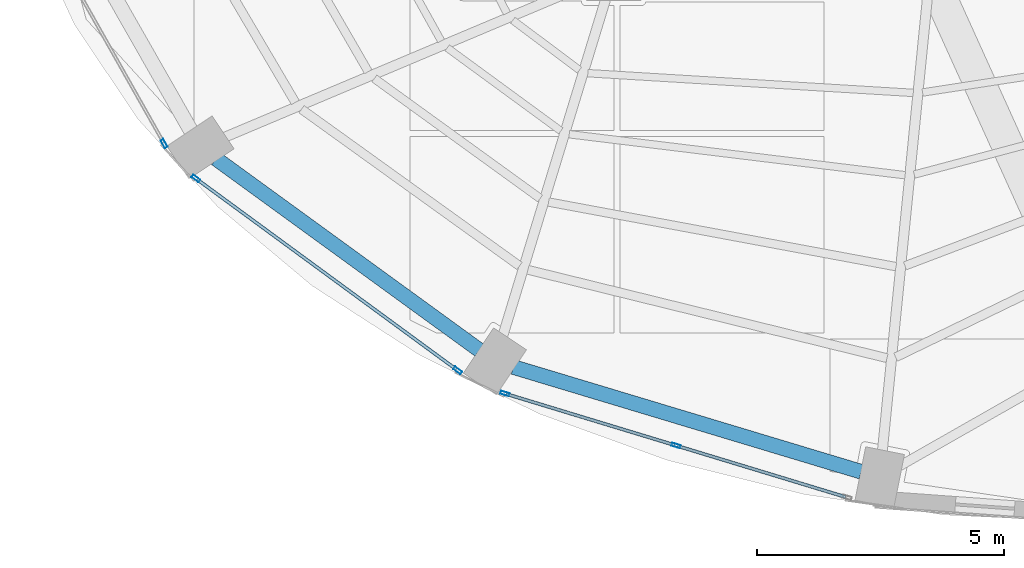
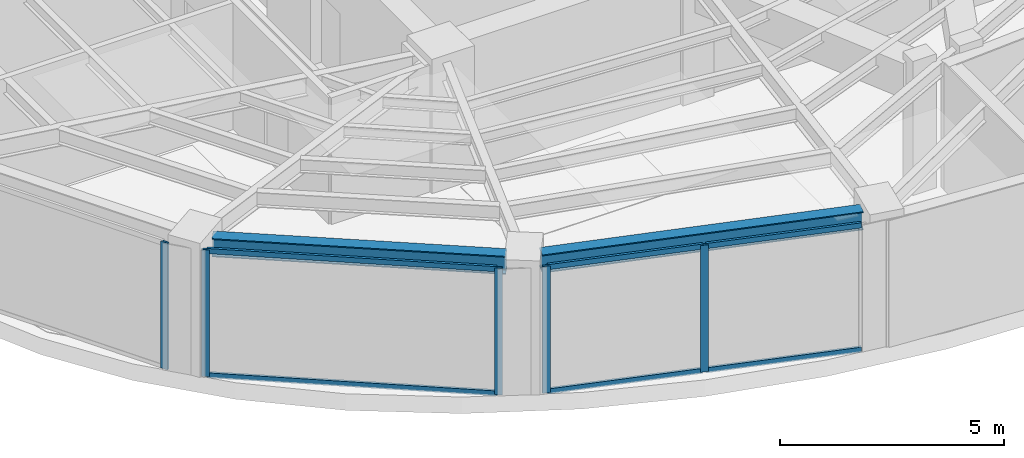
# One storey, part 2 of 23: 11 members, 2 beams, 3 elements without a shape of their own.
"""IFC4 building model written with IfcOpenShell, lengths in metres."""

from ifc_helpers import new_model, si_unit, direction, frame, origin, origin_2d, place, context, subcontext, project, spatial, hollow_rectangle, i_section, extrude, material, layer, layer_set, material_profile, profile_set, type_object, element, aggregate, save


model = new_model("IFC4")

# Units and contexts
model_context = context("Model", 3, precision=1e-05, world=origin(), true_north=direction((0.0, 1.0)))
body_context = subcontext(model_context, "Body", "Model", "MODEL_VIEW")
ifc_project = project(units=[si_unit("LENGTHUNIT", "METRE"), si_unit("AREAUNIT", "SQUARE_METRE"), si_unit("VOLUMEUNIT", "CUBIC_METRE"), si_unit("PLANEANGLEUNIT", "RADIAN"), si_unit("MASSUNIT", "GRAM", prefix="KILO")], contexts=[model_context])

# Site, building, storey
site_placement = place(None, origin())
site = spatial("IfcSite", under=ifc_project, at=site_placement, CompositionType="ELEMENT")
building_placement = place(site_placement, origin())
building = spatial("IfcBuilding", under=site, at=building_placement, Name="Lazwardi Medical Tower", CompositionType="ELEMENT")
storey_placement = place(building_placement, frame((0.0, 0.0, 194.83203125)))
storey = spatial("IfcBuildingStorey", under=building, at=storey_placement, Name="L50", CompositionType="ELEMENT", Elevation=194.83203125)

# Beams
ifc_material_1 = material(Name="Steel S355", Category="steel")
ifc_material_profile_1 = material_profile(ifc_material_1, i_section(OverallWidth=0.300048828125, OverallDepth=0.5, WebThickness=0.014404296875, FlangeThickness=0.028076171875, at=origin_2d()), Name="HEB 500")
ifc_profile_set_1 = profile_set([ifc_material_profile_1], Name="Steel S355")
beam_type = type_object("IfcBeamType", Name="BM-RB-Z4", PredefinedType="BEAM", material=ifc_profile_set_1)
beam_1_placement = place(storey_placement, frame((18.355712890625, 16.648193359375, 3.197998046875), z_axis=(0.808889916254, -0.587960120571, 0.0), x_axis=(0.587960120571, 0.808889916254, 0.0)))
element("IfcBeam", 1, at=beam_1_placement, inside=storey, type_object=beam_type, Name="Ring beam RB-05 B14 L50", PredefinedType="BEAM", context=body_context, shape_type="SweptSolid", body=[
    extrude(i_section(OverallWidth=0.300048828125, OverallDepth=0.5, WebThickness=0.014404296875, FlangeThickness=0.028076171875, at=origin_2d()), origin(), (0.0, 0.0, 1.0), 6.587158203125),
])
beam_2_placement = place(storey_placement, frame((24.373046875, 12.43359375, 3.197998046875), z_axis=(0.957544311906, -0.288286126506, 0.0), x_axis=(0.288286126506, 0.957544311906, 0.0)))
element("IfcBeam", 2, at=beam_2_placement, inside=storey, type_object=beam_type, Name="Ring beam RB-05 B15 L50", PredefinedType="BEAM", context=body_context, shape_type="SweptSolid", body=[
    extrude(i_section(OverallWidth=0.300048828125, OverallDepth=0.5, WebThickness=0.014404296875, FlangeThickness=0.028076171875, at=origin_2d()), origin(), (0.0, 0.0, 1.0), 7.3515625),
])

# Curtain wall, member
ifc_material_2 = material(Name="Anodised bronze aluminium and solar control glazing", Category="aluminium")
ifc_layer = layer(ifc_material_2, 0.18994140625)
ifc_layer_set = layer_set([ifc_layer], Name="Anodised bronze aluminium and solar control glazing")
curtain_wall_type = type_object("IfcCurtainWallType", Name="CW-SYS-04", PredefinedType="NOTDEFINED", material=ifc_layer_set)
curtain_wall_1_placement = place(storey_placement, origin())
curtain_wall_1 = element("IfcCurtainWall", 3, at=curtain_wall_1_placement, inside=storey, type_object=curtain_wall_type, Name="L50 Unitised bronze curtain wall CW-04", PredefinedType="NOTDEFINED")
ifc_material_3 = material(Name="Anodised bronze aluminium", Category="aluminium")
ifc_material_profile_2 = material_profile(ifc_material_3, hollow_rectangle(XDim=0.06494140625, YDim=0.179931640625, WallThickness=0.00390625, at=origin_2d()), Name="ALU-MULLION 180x65x4")
ifc_profile_set_2 = profile_set([ifc_material_profile_2], Name="Anodised bronze aluminium")
member_type_1 = type_object("IfcMemberType", Name="CW-MUL-03", PredefinedType="MULLION", material=ifc_profile_set_2)
member_1_placement = place(storey_placement, frame((17.3056640625, 16.95458984375, 0.0), z_axis=(0.0, 0.0, 1.0), x_axis=(0.870651436011, 0.491900474661, 0.0)))
member_1 = element("IfcMember", 4, at=member_1_placement, type_object=member_type_1, Name="CW-04 mullion 2", PredefinedType="MULLION", context=body_context, shape_type="SweptSolid", body=[
    extrude(hollow_rectangle(XDim=0.06494140625, YDim=0.179931640625, WallThickness=0.00390625, at=origin_2d()), origin(), (0.0, 0.0, 1.0), 3.447998046875),
])
aggregate(curtain_wall_1, [member_1])

# Curtain wall, members
curtain_wall_2_placement = place(storey_placement, origin())
curtain_wall_2 = element("IfcCurtainWall", 5, at=curtain_wall_2_placement, inside=storey, type_object=curtain_wall_type, Name="L50 Unitised bronze curtain wall CW-04", PredefinedType="NOTDEFINED")
member_2_placement = place(storey_placement, frame((17.947998046875, 16.248291015625, 0.0), z_axis=(0.0, 0.0, 1.0), x_axis=(0.591268230971, 0.806474971121, 0.0)))
member_2 = element("IfcMember", 6, at=member_2_placement, type_object=member_type_1, Name="CW-04 mullion 1", PredefinedType="MULLION", context=body_context, shape_type="SweptSolid", body=[
    extrude(hollow_rectangle(XDim=0.06494140625, YDim=0.179931640625, WallThickness=0.00390625, at=origin_2d()), origin(), (0.0, 0.0, 1.0), 3.447998046875),
])
member_3_placement = place(storey_placement, frame((23.24462890625, 12.365234375, 0.0), z_axis=(0.0, 0.0, 1.0), x_axis=(0.591268230971, 0.806474971121, 0.0)))
member_3 = element("IfcMember", 7, at=member_3_placement, type_object=member_type_1, Name="CW-04 mullion 2", PredefinedType="MULLION", context=body_context, shape_type="SweptSolid", body=[
    extrude(hollow_rectangle(XDim=0.06494140625, YDim=0.179931640625, WallThickness=0.00390625, at=origin_2d()), origin(), (0.0, 0.0, 1.0), 3.447998046875),
])

curtain_wall_3_placement = place(storey_placement, origin())
curtain_wall_3 = element("IfcCurtainWall", 8, at=curtain_wall_3_placement, inside=storey, type_object=curtain_wall_type, Name="L50 Unitised bronze curtain wall CW-04", PredefinedType="NOTDEFINED")
member_4_placement = place(storey_placement, frame((24.2001953125, 11.896484375, 0.0), z_axis=(0.0, 0.0, 1.0), x_axis=(0.290581889515, 0.956850126972, 0.0)))
member_4 = element("IfcMember", 9, at=member_4_placement, type_object=member_type_1, Name="CW-04 mullion 1", PredefinedType="MULLION", context=body_context, shape_type="SweptSolid", body=[
    extrude(hollow_rectangle(XDim=0.06494140625, YDim=0.179931640625, WallThickness=0.00390625, at=origin_2d()), origin(), (0.0, 0.0, 1.0), 3.447998046875),
])
member_5_placement = place(storey_placement, frame((27.66357421875, 10.8447265625, 0.0), z_axis=(0.0, 0.0, 1.0), x_axis=(0.290581889515, 0.956850126972, 0.0)))
member_5 = element("IfcMember", 10, at=member_5_placement, type_object=member_type_1, Name="CW-04 mullion 2", PredefinedType="MULLION", context=body_context, shape_type="SweptSolid", body=[
    extrude(hollow_rectangle(XDim=0.06494140625, YDim=0.179931640625, WallThickness=0.00390625, at=origin_2d()), origin(), (0.0, 0.0, 1.0), 3.447998046875),
])

# Member
ifc_material_profile_3 = material_profile(ifc_material_3, hollow_rectangle(XDim=0.06494140625, YDim=0.139892578125, WallThickness=0.00341796875, at=origin_2d()), Name="ALU-TRANSOM 140x65x3.5")
ifc_profile_set_3 = profile_set([ifc_material_profile_3], Name="Anodised bronze aluminium")
member_type_2 = type_object("IfcMemberType", Name="CW-TRN-03", PredefinedType="USERDEFINED", material=ifc_profile_set_3)
member_6_placement = place(storey_placement, frame((17.97412109375, 16.229248046875, 0.032470703125), z_axis=(0.806471831148, -0.591272513791, 0.0), x_axis=(0.591272513791, 0.806471831148, 0.0)))
member_6 = element("IfcMember", 11, at=member_6_placement, type_object=member_type_2, Name="CW-04 transom 1.1", ObjectType="TRANSOM", PredefinedType="USERDEFINED", context=body_context, shape_type="SweptSolid", body=[
    extrude(hollow_rectangle(XDim=0.06494140625, YDim=0.139892578125, WallThickness=0.00341796875, at=origin_2d()), origin(), (0.0, 0.0, 1.0), 6.5029296875),
])

member_7_placement = place(storey_placement, frame((17.97412109375, 16.229248046875, 3.41552734375), z_axis=(0.806471831148, -0.591272513791, 0.0), x_axis=(0.591272513791, 0.806471831148, 0.0)))
member_7 = element("IfcMember", 12, at=member_7_placement, type_object=member_type_2, Name="CW-04 transom 1.2", ObjectType="TRANSOM", PredefinedType="USERDEFINED", context=body_context, shape_type="SweptSolid", body=[
    extrude(hollow_rectangle(XDim=0.06494140625, YDim=0.139892578125, WallThickness=0.00341796875, at=origin_2d()), origin(), (0.0, 0.0, 1.0), 6.5029296875),
])

aggregate(curtain_wall_2, [member_2, member_3, member_6, member_7])

member_8_placement = place(storey_placement, frame((24.2314453125, 11.886962890625, 0.032470703125), z_axis=(0.956862505902, -0.290541124109, 0.0), x_axis=(0.290541124109, 0.956862505902, 0.0)))
member_8 = element("IfcMember", 13, at=member_8_placement, type_object=member_type_2, Name="CW-04 transom 1.1", ObjectType="TRANSOM", PredefinedType="USERDEFINED", context=body_context, shape_type="SweptSolid", body=[
    extrude(hollow_rectangle(XDim=0.06494140625, YDim=0.139892578125, WallThickness=0.00341796875, at=origin_2d()), origin(), (0.0, 0.0, 1.0), 3.554443359375),
])

member_9_placement = place(storey_placement, frame((24.2314453125, 11.886962890625, 3.41552734375), z_axis=(0.956862505902, -0.290541124109, 0.0), x_axis=(0.290541124109, 0.956862505902, 0.0)))
member_9 = element("IfcMember", 14, at=member_9_placement, type_object=member_type_2, Name="CW-04 transom 1.2", ObjectType="TRANSOM", PredefinedType="USERDEFINED", context=body_context, shape_type="SweptSolid", body=[
    extrude(hollow_rectangle(XDim=0.06494140625, YDim=0.139892578125, WallThickness=0.00341796875, at=origin_2d()), origin(), (0.0, 0.0, 1.0), 3.554443359375),
])

member_10_placement = place(storey_placement, frame((27.694580078125, 10.835205078125, 0.032470703125), z_axis=(0.956862505902, -0.290541124109, 0.0), x_axis=(0.290541124109, 0.956862505902, 0.0)))
member_10 = element("IfcMember", 15, at=member_10_placement, type_object=member_type_2, Name="CW-04 transom 2.1", ObjectType="TRANSOM", PredefinedType="USERDEFINED", context=body_context, shape_type="SweptSolid", body=[
    extrude(hollow_rectangle(XDim=0.06494140625, YDim=0.139892578125, WallThickness=0.00341796875, at=origin_2d()), origin(), (0.0, 0.0, 1.0), 3.554443359375),
])

member_11_placement = place(storey_placement, frame((27.694580078125, 10.835205078125, 3.41552734375), z_axis=(0.956862505902, -0.290541124109, 0.0), x_axis=(0.290541124109, 0.956862505902, 0.0)))
member_11 = element("IfcMember", 16, at=member_11_placement, type_object=member_type_2, Name="CW-04 transom 2.2", ObjectType="TRANSOM", PredefinedType="USERDEFINED", context=body_context, shape_type="SweptSolid", body=[
    extrude(hollow_rectangle(XDim=0.06494140625, YDim=0.139892578125, WallThickness=0.00341796875, at=origin_2d()), origin(), (0.0, 0.0, 1.0), 3.554443359375),
])

aggregate(curtain_wall_3, [member_4, member_5, member_8, member_9, member_10, member_11])

save(model, "model.ifc")
